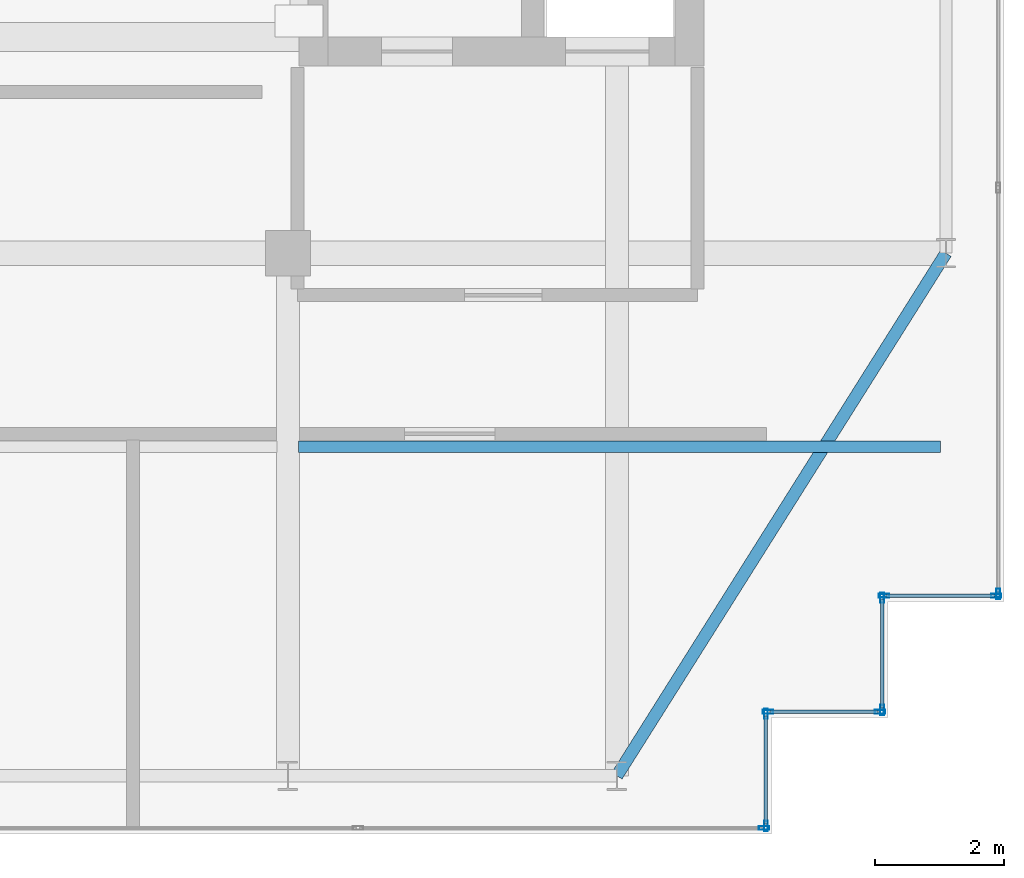
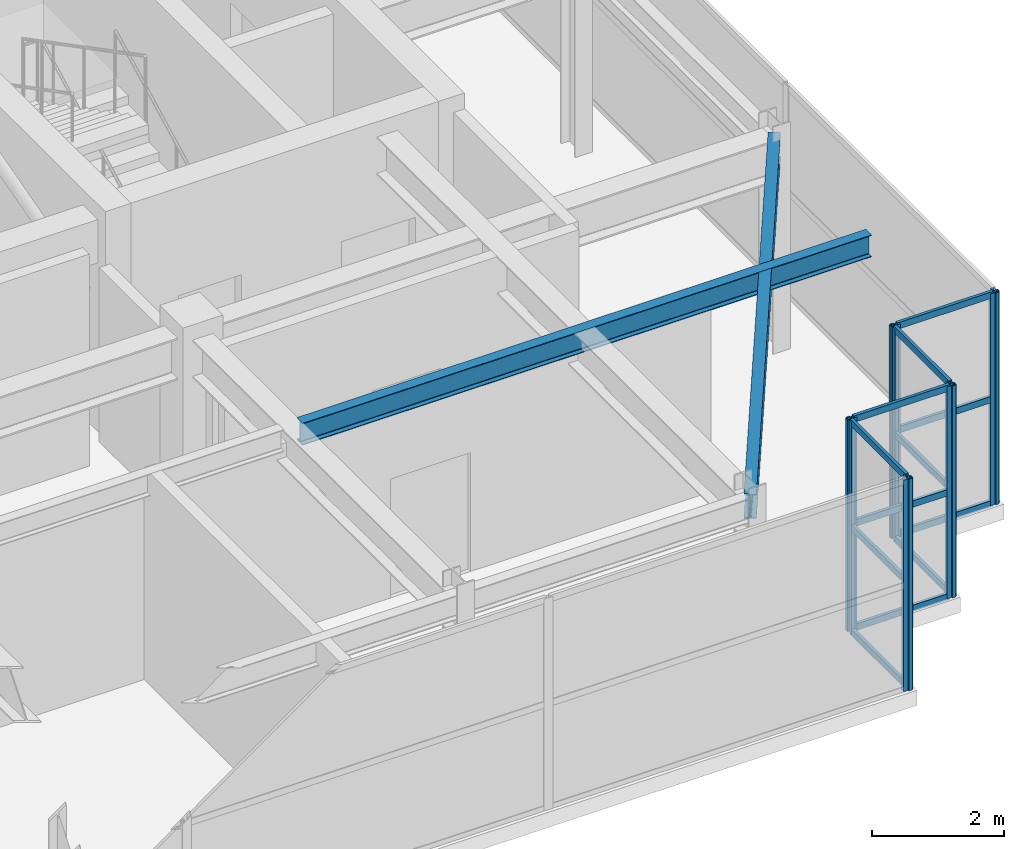
# One storey, part 15 of 32: 22 members, 2 beams, 6 elements without a shape of their own.
"""IFC4 building model written with IfcOpenShell, lengths in metres."""

import ifcopenshell
import ifcopenshell.guid

model = None  # the IFC model being written
_history = None  # IfcOwnerHistory: only IFC2X3 demands one
_inside = {}  # id of a spatial element -> (the spatial element, [elements in it])
_under = {}  # id of a project, library or spatial element -> (it, [spatial elements below it])
_declared = {}  # id of a project -> (the project, [libraries it declares])
_typed = {}  # id of a type object -> (the type object, [elements of that type])
_made_of = {}  # id of a material, layer set ... -> (it, [elements and type objects made of it])


def new_model(schema):
    """Start an empty IFC model of exactly this schema.

    Asked for "IFC4X3", IfcOpenShell would pick the latest addendum, in which some entities
    have other attributes; the version numbers below select the first issue.
    IFC2X3 requires an IfcOwnerHistory on every rooted entity: one is made here for all.
    """
    global model, _history
    if schema == "IFC4X3":
        model = ifcopenshell.file(schema_version=(4, 3, 0, 0))
    else:
        model = ifcopenshell.file(schema=schema)
    _inside.clear()
    _under.clear()
    _declared.clear()
    _typed.clear()
    _made_of.clear()
    _history = None
    if model.schema == "IFC2X3":
        org = make("IfcOrganization", Name="unknown")
        user = make(
            "IfcPersonAndOrganization",
            ThePerson=make("IfcPerson", FamilyName="unknown"),
            TheOrganization=org,
        )
        app = make(
            "IfcApplication",
            ApplicationDeveloper=org,
            Version="unknown",
            ApplicationFullName="unknown",
            ApplicationIdentifier="unknown",
        )
        _history = make(
            "IfcOwnerHistory",
            OwningUser=user,
            OwningApplication=app,
            ChangeAction="ADDED",
            CreationDate=0,
        )
    return model


def make(cls, **values):
    """One entity of the class cls with the attributes given. An attribute that is None is left unset."""
    return model.create_entity(
        cls, **{name: value for name, value in values.items() if value is not None}
    )


def rooted(cls, **values):
    """An entity with a GlobalId (a new one), such as an element, a storey or a relation."""
    return make(cls, GlobalId=ifcopenshell.guid.new(), OwnerHistory=_history, **values)


def si_unit(unit_type, name, prefix=None):
    """IfcSIUnit, for example si_unit("LENGTHUNIT", "METRE", prefix="MILLI")."""
    return make("IfcSIUnit", UnitType=unit_type, Prefix=prefix, Name=name)


def assignment(units):
    """IfcUnitAssignment: the units of a project."""
    return None if units is None else make("IfcUnitAssignment", Units=units)


def point(xyz):
    """IfcCartesianPoint."""
    return None if xyz is None else make("IfcCartesianPoint", Coordinates=xyz)


def direction(xyz):
    """IfcDirection."""
    return None if xyz is None else make("IfcDirection", DirectionRatios=xyz)


def frame(location, z_axis=None, x_axis=None):
    """IfcAxis2Placement3D, a coordinate frame: its origin and axes. An axis left out is left unset."""
    return make(
        "IfcAxis2Placement3D",
        Location=point(location),
        Axis=direction(z_axis),
        RefDirection=direction(x_axis),
    )


def frame_2d(location, x_axis=None):
    """IfcAxis2Placement2D, a coordinate frame in the plane: its origin and x axis."""
    return make(
        "IfcAxis2Placement2D", Location=point(location), RefDirection=direction(x_axis)
    )


def origin():
    """The frame at (0, 0, 0) with its axes left unset."""
    return frame((0.0, 0.0, 0.0))


def origin_2d():
    """The frame at (0, 0) in the plane with its x axis left unset."""
    return frame_2d((0.0, 0.0))


def place(relative_to, where):
    """IfcLocalPlacement: puts the frame where relative to a parent placement (None: the world)."""
    return make(
        "IfcLocalPlacement", PlacementRelTo=relative_to, RelativePlacement=where
    )


def context(
    kind, dimensions, precision=None, world=None, true_north=None, identifier=None
):
    """IfcGeometricRepresentationContext, for example the 3D "Model" context."""
    return make(
        "IfcGeometricRepresentationContext",
        ContextIdentifier=identifier,
        ContextType=kind,
        CoordinateSpaceDimension=dimensions,
        Precision=precision,
        WorldCoordinateSystem=world,
        TrueNorth=true_north,
    )


def subcontext(parent, identifier, kind, view, scale=None):
    """IfcGeometricRepresentationSubContext, for example "Body" below "Model"."""
    return make(
        "IfcGeometricRepresentationSubContext",
        ContextIdentifier=identifier,
        ContextType=kind,
        ParentContext=parent,
        TargetScale=scale,
        TargetView=view,
    )


def project(units=None, contexts=None):
    """IfcProject with its units and contexts."""
    return rooted(
        "IfcProject",
        Name="project",
        RepresentationContexts=contexts,
        UnitsInContext=assignment(units),
    )


def spatial(cls, under=None, at=None, **own):
    """A site, building, storey or space (cls), placed at a placement, below another one or the project."""
    s = rooted(cls, ObjectPlacement=at, **own)
    if under is not None:
        _under.setdefault(under.id(), (under, []))[1].append(s)
    return s


def profile(cls, at=None, kind="AREA", **sizes):
    """A parametric profile (cls). Its sizes go by their IFC names, for example OverallWidth=200.0."""
    return make(cls, ProfileType=kind, Position=at, **sizes)


def hollow_rectangle(**sizes):
    """IfcRectangleHollowProfileDef."""
    return profile("IfcRectangleHollowProfileDef", **sizes)


def i_section(**sizes):
    """IfcIShapeProfileDef."""
    return profile("IfcIShapeProfileDef", **sizes)


def extrude(swept, where, along, depth):
    """IfcExtrudedAreaSolid: the profile swept, set in the frame where, extruded along a direction by depth."""
    return make(
        "IfcExtrudedAreaSolid",
        SweptArea=swept,
        Position=where,
        ExtrudedDirection=direction(along),
        Depth=depth,
    )


def shape(context_of_items, identifier, shape_type, items):
    """IfcShapeRepresentation: the items that make up one representation, for example the "Body"."""
    return make(
        "IfcShapeRepresentation",
        ContextOfItems=context_of_items,
        RepresentationIdentifier=identifier,
        RepresentationType=shape_type,
        Items=items,
    )


def source(mapping_origin, context_of_items, identifier, shape_type, items):
    """IfcRepresentationMap: a shape defined once, which mapped items show again and again."""
    return make(
        "IfcRepresentationMap",
        MappingOrigin=mapping_origin,
        MappedRepresentation=shape(context_of_items, identifier, shape_type, items),
    )


def transform(
    local_origin,
    x_axis=None,
    y_axis=None,
    z_axis=None,
    scale=None,
    scale2=None,
    scale3=None,
    uniform=True,
):
    """IfcCartesianTransformationOperator3D, or its non-uniform kind. x_axis, y_axis, z_axis: its Axis1, 2, 3."""
    if uniform:
        return make(
            "IfcCartesianTransformationOperator3D",
            Axis1=direction(x_axis),
            Axis2=direction(y_axis),
            LocalOrigin=point(local_origin),
            Scale=scale,
            Axis3=direction(z_axis),
        )
    return make(
        "IfcCartesianTransformationOperator3DnonUniform",
        Axis1=direction(x_axis),
        Axis2=direction(y_axis),
        LocalOrigin=point(local_origin),
        Scale=scale,
        Axis3=direction(z_axis),
        Scale2=scale2,
        Scale3=scale3,
    )


def mapped(mapping_source, mapping_target):
    """IfcMappedItem: shows the shape of a source again, moved by a transform."""
    return make(
        "IfcMappedItem", MappingSource=mapping_source, MappingTarget=mapping_target
    )


def material(Name=None, Category=None):
    """IfcMaterial."""
    return make("IfcMaterial", Name=Name, Category=Category)


def layer(
    of_material, thickness, ventilated=None, Name=None, Category=None, Priority=None
):
    """IfcMaterialLayer: one layer of a wall or slab, of a material (None: an air gap)."""
    return make(
        "IfcMaterialLayer",
        Material=of_material,
        LayerThickness=thickness,
        IsVentilated=ventilated,
        Name=Name,
        Category=Category,
        Priority=Priority,
    )


def layer_set(layers, Name=None):
    """IfcMaterialLayerSet."""
    return make("IfcMaterialLayerSet", MaterialLayers=layers, LayerSetName=Name)


def material_profile(
    of_material, cross_section, Name=None, Category=None, Priority=None
):
    """IfcMaterialProfile: a cross section and its material."""
    return make(
        "IfcMaterialProfile",
        Name=Name,
        Material=of_material,
        Profile=cross_section,
        Priority=Priority,
        Category=Category,
    )


def profile_set(profiles, Name=None, composite=None):
    """IfcMaterialProfileSet."""
    return make(
        "IfcMaterialProfileSet",
        Name=Name,
        MaterialProfiles=profiles,
        CompositeProfile=composite,
    )


def made_of(thing, what):
    """Note that an element or type object is made of a material, layer set ...; save() writes the relation."""
    if what is not None:
        _made_of.setdefault(what.id(), (what, []))[1].append(thing)
    return thing


def type_object(cls, material=None, **own):
    """A type object (cls), such as IfcWallType, which elements share."""
    return made_of(rooted(cls, **own), material)


def element(
    cls,
    number,
    at=None,
    inside=None,
    cuts=None,
    type_object=None,
    material=None,
    context=None,
    identifier="Body",
    shape_type=None,
    held_by="IfcProductDefinitionShape",
    body=None,
    shapes=None,
    **own,
):
    """One element of the class cls, such as IfcWall. Its Tag is "e" and its number.

    at: its placement. inside: the storey or other place that contains it. cuts: it is an
    opening in that element (IfcRelVoidsElement). A single representation is given by context,
    identifier, shape_type and body (its items); several are given by shapes. held_by: the class
    of the entity that holds the representations. save() writes the other relations.
    """
    e = rooted(cls, Tag="e%d" % number, ObjectPlacement=at, **own)
    if body is not None:
        shapes = [shape(context, identifier, shape_type, body)]
    if shapes is not None:
        e.Representation = make(held_by, Representations=shapes)
    if inside is not None:
        _inside.setdefault(inside.id(), (inside, []))[1].append(e)
    if cuts is not None:
        rooted(
            "IfcRelVoidsElement", RelatingBuildingElement=cuts, RelatedOpeningElement=e
        )
    if type_object is not None:
        _typed.setdefault(type_object.id(), (type_object, []))[1].append(e)
    return made_of(e, material)


def aggregate(whole, parts):
    """IfcRelAggregates: a whole, such as a stair, and the parts it consists of."""
    return rooted("IfcRelAggregates", RelatingObject=whole, RelatedObjects=parts)


def save(model, path):
    """Write the relations noted so far, then the file.

    IfcRelAggregates (storeys below a building ...), IfcRelContainedInSpatialStructure (elements
    in a storey), IfcRelDefinesByType, IfcRelAssociatesMaterial and IfcRelDeclares: one each for
    every whole, place, type object, material and project.
    """
    for whole, parts in _under.values():
        aggregate(whole, parts)
    for where, things in _inside.values():
        rooted(
            "IfcRelContainedInSpatialStructure",
            RelatedElements=things,
            RelatingStructure=where,
        )
    for kind, things in _typed.values():
        rooted("IfcRelDefinesByType", RelatedObjects=things, RelatingType=kind)
    for what, things in _made_of.values():
        rooted("IfcRelAssociatesMaterial", RelatedObjects=things, RelatingMaterial=what)
    for by, libraries in _declared.values():
        rooted("IfcRelDeclares", RelatingContext=by, RelatedDefinitions=libraries)
    model.write(path)


model = new_model("IFC4")

# Units and contexts
model_context = context("Model", 3, precision=1e-05, world=origin(), true_north=direction((0.0, 1.0)))
body_context = subcontext(model_context, "Body", "Model", "MODEL_VIEW")
ifc_project = project(units=[si_unit("LENGTHUNIT", "METRE"), si_unit("AREAUNIT", "SQUARE_METRE"), si_unit("VOLUMEUNIT", "CUBIC_METRE"), si_unit("PLANEANGLEUNIT", "RADIAN"), si_unit("MASSUNIT", "GRAM", prefix="KILO")], contexts=[model_context])

# Site, building, storey
site_placement = place(None, origin())
site = spatial("IfcSite", under=ifc_project, at=site_placement, CompositionType="ELEMENT")
building_placement = place(site_placement, origin())
building = spatial("IfcBuilding", under=site, at=building_placement, Name="Khoralis Quay Care Tower", CompositionType="ELEMENT")
storey_placement = place(building_placement, frame((0.0, 0.0, 306.300048828125)))
storey = spatial("IfcBuildingStorey", under=building, at=storey_placement, Name="L80", CompositionType="ELEMENT", Elevation=306.300048828125)

# Beams
ifc_material_1 = material(Name="Steel S355", Category="steel")
ifc_material_profile_1 = material_profile(ifc_material_1, i_section(OverallWidth=0.18994140625, OverallDepth=0.449951171875, WebThickness=0.009521484375, FlangeThickness=0.0146484375, FilletRadius=0.02099609375, at=origin_2d()), Name="Steel S355")
ifc_profile_set_1 = profile_set([ifc_material_profile_1], Name="Steel S355")
beam_type_1 = type_object("IfcBeamType", Name="BM-IPE450", PredefinedType="SPANDREL", material=ifc_profile_set_1)
shared_shape_1 = source(origin(), body_context, "Body", "SweptSolid", [
    extrude(i_section(OverallWidth=0.18994140625, OverallDepth=0.449951171875, WebThickness=0.009521484375, FlangeThickness=0.0146484375, FilletRadius=0.02099609375, at=origin_2d()), origin(), (0.0, 0.0, 1.0), 9.572021484375),
])
beam_1_placement = place(storey_placement, frame((36.0, 3.89990234375, 3.695068359375), z_axis=(0.532815975602, 0.846231136359, 0.0), x_axis=(-0.846231136359, 0.532815975602, 0.0)))
element("IfcBeam", 1, at=beam_1_placement, inside=storey, type_object=beam_type_1, Name="BM-TCR-L80-18", PredefinedType="SPANDREL", context=body_context, shape_type="MappedRepresentation", body=[
    mapped(shared_shape_1, transform((0.0, 0.0, 0.0), scale=1.0)),
])
ifc_material_profile_2 = material_profile(ifc_material_1, i_section(OverallWidth=0.177978515625, OverallDepth=0.406982421875, WebThickness=0.0078125, FlangeThickness=0.0126953125, FilletRadius=0.012939453125, at=origin_2d()), Name="Steel S355")
ifc_profile_set_2 = profile_set([ifc_material_profile_2], Name="Steel S355")
beam_type_2 = type_object("IfcBeamType", Name="BM-W410X60", PredefinedType="JOIST", material=ifc_profile_set_2)
shared_shape_2 = source(origin(), body_context, "Body", "SweptSolid", [
    extrude(i_section(OverallWidth=0.177978515625, OverallDepth=0.406982421875, WebThickness=0.0078125, FlangeThickness=0.0126953125, FilletRadius=0.012939453125, at=origin_2d()), origin(), (0.0, 0.0, 1.0), 9.95361328125),
])
beam_2_placement = place(storey_placement, frame((31.0654296875, 9.0, 3.716552734375), z_axis=(1.0, 0.0, 0.0), x_axis=(0.0, 1.0, 0.0)))
element("IfcBeam", 2, at=beam_2_placement, inside=storey, type_object=beam_type_2, Name="BM-TJS-L80-22", PredefinedType="JOIST", context=body_context, shape_type="MappedRepresentation", body=[
    mapped(shared_shape_2, transform((0.0, 0.0, 0.0), scale=1.0)),
])

# Curtain wall, members
ifc_material_2 = material(Name="Pale anodised aluminium", Category="aluminium")
ifc_layer = layer(ifc_material_2, 0.199951171875)
ifc_layer_set = layer_set([ifc_layer], Name="Pale anodised aluminium")
curtain_wall_type = type_object("IfcCurtainWallType", Name="CW-SYS-LANTERN", PredefinedType="NOTDEFINED", material=ifc_layer_set)
curtain_wall_1_placement = place(storey_placement, origin())
curtain_wall_1 = element("IfcCurtainWall", 3, at=curtain_wall_1_placement, inside=storey, type_object=curtain_wall_type, Name="L80 Unitised Curtain Wall CW-LN-L80-02", PredefinedType="NOTDEFINED")
ifc_material_profile_3 = material_profile(ifc_material_2, hollow_rectangle(XDim=0.054931640625, YDim=0.1201171875, WallThickness=0.00390625, at=origin_2d()), Name="Pale anodised aluminium")
ifc_profile_set_3 = profile_set([ifc_material_profile_3], Name="Pale anodised aluminium")
member_type_1 = type_object("IfcMemberType", Name="CW-TRN-120", PredefinedType="USERDEFINED", material=ifc_profile_set_3)
shared_shape_3 = source(origin(), body_context, "Body", "SweptSolid", [
    extrude(hollow_rectangle(XDim=0.054931640625, YDim=0.1201171875, WallThickness=0.00390625, at=origin_2d()), origin(), (0.0, 0.0, 1.0), 1.68017578125),
])
member_1_placement = place(storey_placement, frame((38.31005859375, 3.14990234375, 0.030029296875), z_axis=(0.0, 1.0, 0.0), x_axis=(-1.0, 0.0, 0.0)))
member_1 = element("IfcMember", 4, at=member_1_placement, type_object=member_type_1, Name="CW5 transom 1.1", ObjectType="TRANSOM", PredefinedType="USERDEFINED", context=body_context, shape_type="MappedRepresentation", body=[
    mapped(shared_shape_3, transform((0.0, 0.0, 0.0), scale=1.0)),
])
member_2_placement = place(storey_placement, frame((38.31005859375, 3.14990234375, 1.9599609375), z_axis=(0.0, 1.0, 0.0), x_axis=(-1.0, 0.0, 0.0)))
member_2 = element("IfcMember", 5, at=member_2_placement, type_object=member_type_1, Name="CW5 transom 1.2", ObjectType="TRANSOM", PredefinedType="USERDEFINED", context=body_context, shape_type="MappedRepresentation", body=[
    mapped(shared_shape_3, transform((0.0, 0.0, 0.0), scale=1.0)),
])
member_3_placement = place(storey_placement, frame((38.31005859375, 3.14990234375, 3.889892578125), z_axis=(0.0, 1.0, 0.0), x_axis=(-1.0, 0.0, 0.0)))
member_3 = element("IfcMember", 6, at=member_3_placement, type_object=member_type_1, Name="CW5 transom 1.3", ObjectType="TRANSOM", PredefinedType="USERDEFINED", context=body_context, shape_type="MappedRepresentation", body=[
    mapped(shared_shape_3, transform((0.0, 0.0, 0.0), scale=1.0)),
])

curtain_wall_2_placement = place(storey_placement, origin())
curtain_wall_2 = element("IfcCurtainWall", 7, at=curtain_wall_2_placement, inside=storey, type_object=curtain_wall_type, Name="L80 Unitised Curtain Wall CW-LN-L80-05", PredefinedType="NOTDEFINED")
member_4_placement = place(storey_placement, frame((40.169921875, 6.68994140625, 0.030029296875), z_axis=(1.0, 0.0, 0.0), x_axis=(0.0, 1.0, 0.0)))
member_4 = element("IfcMember", 8, at=member_4_placement, type_object=member_type_1, Name="CW5 transom 1.1", ObjectType="TRANSOM", PredefinedType="USERDEFINED", context=body_context, shape_type="MappedRepresentation", body=[
    mapped(shared_shape_3, transform((0.0, 0.0, 0.0), scale=1.0)),
])
member_5_placement = place(storey_placement, frame((40.169921875, 6.68994140625, 1.9599609375), z_axis=(1.0, 0.0, 0.0), x_axis=(0.0, 1.0, 0.0)))
member_5 = element("IfcMember", 9, at=member_5_placement, type_object=member_type_1, Name="CW5 transom 1.2", ObjectType="TRANSOM", PredefinedType="USERDEFINED", context=body_context, shape_type="MappedRepresentation", body=[
    mapped(shared_shape_3, transform((0.0, 0.0, 0.0), scale=1.0)),
])
member_6_placement = place(storey_placement, frame((40.169921875, 6.68994140625, 3.889892578125), z_axis=(1.0, 0.0, 0.0), x_axis=(0.0, 1.0, 0.0)))
member_6 = element("IfcMember", 10, at=member_6_placement, type_object=member_type_1, Name="CW5 transom 1.3", ObjectType="TRANSOM", PredefinedType="USERDEFINED", context=body_context, shape_type="MappedRepresentation", body=[
    mapped(shared_shape_3, transform((0.0, 0.0, 0.0), scale=1.0)),
])

curtain_wall_3_placement = place(storey_placement, origin())
curtain_wall_3 = element("IfcCurtainWall", 11, at=curtain_wall_3_placement, inside=storey, type_object=curtain_wall_type, Name="L80 Unitised Curtain Wall CW-LN-L80-03", PredefinedType="NOTDEFINED")
shared_shape_4 = source(origin(), body_context, "Body", "SweptSolid", [
    extrude(hollow_rectangle(XDim=0.054931640625, YDim=0.1201171875, WallThickness=0.00390625, at=origin_2d()), origin(), (0.0, 0.0, 1.0), 1.679931640625),
])
member_7_placement = place(storey_placement, frame((38.3701171875, 4.889892578125, 0.030029296875), z_axis=(1.0, 0.0, 0.0), x_axis=(0.0, 1.0, 0.0)))
member_7 = element("IfcMember", 12, at=member_7_placement, type_object=member_type_1, Name="CW5 transom 1.1", ObjectType="TRANSOM", PredefinedType="USERDEFINED", context=body_context, shape_type="MappedRepresentation", body=[
    mapped(shared_shape_4, transform((0.0, 0.0, 0.0), scale=1.0)),
])
member_8_placement = place(storey_placement, frame((38.3701171875, 4.889892578125, 1.9599609375), z_axis=(1.0, 0.0, 0.0), x_axis=(0.0, 1.0, 0.0)))
member_8 = element("IfcMember", 13, at=member_8_placement, type_object=member_type_1, Name="CW5 transom 1.2", ObjectType="TRANSOM", PredefinedType="USERDEFINED", context=body_context, shape_type="MappedRepresentation", body=[
    mapped(shared_shape_4, transform((0.0, 0.0, 0.0), scale=1.0)),
])
member_9_placement = place(storey_placement, frame((38.3701171875, 4.889892578125, 3.889892578125), z_axis=(1.0, 0.0, 0.0), x_axis=(0.0, 1.0, 0.0)))
member_9 = element("IfcMember", 14, at=member_9_placement, type_object=member_type_1, Name="CW5 transom 1.3", ObjectType="TRANSOM", PredefinedType="USERDEFINED", context=body_context, shape_type="MappedRepresentation", body=[
    mapped(shared_shape_4, transform((0.0, 0.0, 0.0), scale=1.0)),
])

curtain_wall_4_placement = place(storey_placement, origin())
curtain_wall_4 = element("IfcCurtainWall", 15, at=curtain_wall_4_placement, inside=storey, type_object=curtain_wall_type, Name="L80 Unitised Curtain Wall CW-LN-L80-04", PredefinedType="NOTDEFINED")
member_10_placement = place(storey_placement, frame((40.110107421875, 4.949951171875, 0.030029296875), z_axis=(0.0, 1.0, 0.0), x_axis=(-1.0, 0.0, 0.0)))
member_10 = element("IfcMember", 16, at=member_10_placement, type_object=member_type_1, Name="CW5 transom 1.1", ObjectType="TRANSOM", PredefinedType="USERDEFINED", context=body_context, shape_type="MappedRepresentation", body=[
    mapped(shared_shape_4, transform((0.0, 0.0, 0.0), scale=1.0)),
])
member_11_placement = place(storey_placement, frame((40.110107421875, 4.949951171875, 1.9599609375), z_axis=(0.0, 1.0, 0.0), x_axis=(-1.0, 0.0, 0.0)))
member_11 = element("IfcMember", 17, at=member_11_placement, type_object=member_type_1, Name="CW5 transom 1.2", ObjectType="TRANSOM", PredefinedType="USERDEFINED", context=body_context, shape_type="MappedRepresentation", body=[
    mapped(shared_shape_4, transform((0.0, 0.0, 0.0), scale=1.0)),
])
member_12_placement = place(storey_placement, frame((40.110107421875, 4.949951171875, 3.889892578125), z_axis=(0.0, 1.0, 0.0), x_axis=(-1.0, 0.0, 0.0)))
member_12 = element("IfcMember", 18, at=member_12_placement, type_object=member_type_1, Name="CW5 transom 1.3", ObjectType="TRANSOM", PredefinedType="USERDEFINED", context=body_context, shape_type="MappedRepresentation", body=[
    mapped(shared_shape_4, transform((0.0, 0.0, 0.0), scale=1.0)),
])

# Curtain wall, member
curtain_wall_5_placement = place(storey_placement, origin())
curtain_wall_5 = element("IfcCurtainWall", 19, at=curtain_wall_5_placement, inside=storey, type_object=curtain_wall_type, Name="L80 Unitised Curtain Wall CW-LN-L80-01", PredefinedType="NOTDEFINED")
ifc_material_profile_4 = material_profile(ifc_material_2, hollow_rectangle(XDim=0.06005859375, YDim=0.159912109375, WallThickness=0.00390625, at=origin_2d()), Name="Pale anodised aluminium")
ifc_profile_set_4 = profile_set([ifc_material_profile_4], Name="Pale anodised aluminium")
member_type_2 = type_object("IfcMemberType", Name="CW-MUL-160", PredefinedType="MULLION", material=ifc_profile_set_4)
shared_shape_5 = source(origin(), body_context, "Body", "SweptSolid", [
    extrude(hollow_rectangle(XDim=0.06005859375, YDim=0.159912109375, WallThickness=0.00390625, at=origin_2d()), origin(), (0.0, 0.0, 1.0), 3.919921875),
])
member_13_placement = place(storey_placement, frame((38.280029296875, 3.090087890625, 0.0), z_axis=(0.0, 0.0, 1.0), x_axis=(0.0, 1.0, 0.0)))
member_13 = element("IfcMember", 20, at=member_13_placement, type_object=member_type_2, Name="CW5 mullion 6", PredefinedType="MULLION", context=body_context, shape_type="MappedRepresentation", body=[
    mapped(shared_shape_5, transform((0.0, 0.0, 0.0), scale=1.0)),
])
aggregate(curtain_wall_5, [member_13])

# Member
member_14_placement = place(storey_placement, frame((38.31005859375, 3.1201171875, 0.0), z_axis=(0.0, 0.0, 1.0), x_axis=(-1.0, 0.0, 0.0)))
member_14 = element("IfcMember", 21, at=member_14_placement, type_object=member_type_2, Name="CW5 mullion 1", PredefinedType="MULLION", context=body_context, shape_type="MappedRepresentation", body=[
    mapped(shared_shape_5, transform((0.0, 0.0, 0.0), scale=1.0)),
])

member_15_placement = place(storey_placement, frame((38.31005859375, 4.860107421875, 0.0), z_axis=(0.0, 0.0, 1.0), x_axis=(-1.0, 0.0, 0.0)))
member_15 = element("IfcMember", 22, at=member_15_placement, type_object=member_type_2, Name="CW5 mullion 2", PredefinedType="MULLION", context=body_context, shape_type="MappedRepresentation", body=[
    mapped(shared_shape_5, transform((0.0, 0.0, 0.0), scale=1.0)),
])

aggregate(curtain_wall_1, [member_14, member_15, member_1, member_2, member_3])

member_16_placement = place(storey_placement, frame((38.340087890625, 4.889892578125, 0.0), z_axis=(0.0, 0.0, 1.0), x_axis=(0.0, 1.0, 0.0)))
member_16 = element("IfcMember", 23, at=member_16_placement, type_object=member_type_2, Name="CW5 mullion 1", PredefinedType="MULLION", context=body_context, shape_type="MappedRepresentation", body=[
    mapped(shared_shape_5, transform((0.0, 0.0, 0.0), scale=1.0)),
])

member_17_placement = place(storey_placement, frame((40.080078125, 4.889892578125, 0.0), z_axis=(0.0, 0.0, 1.0), x_axis=(0.0, 1.0, 0.0)))
member_17 = element("IfcMember", 24, at=member_17_placement, type_object=member_type_2, Name="CW5 mullion 2", PredefinedType="MULLION", context=body_context, shape_type="MappedRepresentation", body=[
    mapped(shared_shape_5, transform((0.0, 0.0, 0.0), scale=1.0)),
])

aggregate(curtain_wall_3, [member_16, member_17, member_7, member_8, member_9])

member_18_placement = place(storey_placement, frame((40.110107421875, 4.919921875, 0.0), z_axis=(0.0, 0.0, 1.0), x_axis=(-1.0, 0.0, 0.0)))
member_18 = element("IfcMember", 25, at=member_18_placement, type_object=member_type_2, Name="CW5 mullion 1", PredefinedType="MULLION", context=body_context, shape_type="MappedRepresentation", body=[
    mapped(shared_shape_5, transform((0.0, 0.0, 0.0), scale=1.0)),
])

member_19_placement = place(storey_placement, frame((40.110107421875, 6.659912109375, 0.0), z_axis=(0.0, 0.0, 1.0), x_axis=(-1.0, 0.0, 0.0)))
member_19 = element("IfcMember", 26, at=member_19_placement, type_object=member_type_2, Name="CW5 mullion 2", PredefinedType="MULLION", context=body_context, shape_type="MappedRepresentation", body=[
    mapped(shared_shape_5, transform((0.0, 0.0, 0.0), scale=1.0)),
])

aggregate(curtain_wall_4, [member_18, member_19, member_10, member_11, member_12])

member_20_placement = place(storey_placement, frame((40.139892578125, 6.68994140625, 0.0), z_axis=(0.0, 0.0, 1.0), x_axis=(0.0, 1.0, 0.0)))
member_20 = element("IfcMember", 27, at=member_20_placement, type_object=member_type_2, Name="CW5 mullion 1", PredefinedType="MULLION", context=body_context, shape_type="MappedRepresentation", body=[
    mapped(shared_shape_5, transform((0.0, 0.0, 0.0), scale=1.0)),
])

member_21_placement = place(storey_placement, frame((41.8798828125, 6.68994140625, 0.0), z_axis=(0.0, 0.0, 1.0), x_axis=(0.0, 1.0, 0.0)))
member_21 = element("IfcMember", 28, at=member_21_placement, type_object=member_type_2, Name="CW5 mullion 2", PredefinedType="MULLION", context=body_context, shape_type="MappedRepresentation", body=[
    mapped(shared_shape_5, transform((0.0, 0.0, 0.0), scale=1.0)),
])

aggregate(curtain_wall_2, [member_20, member_21, member_4, member_5, member_6])

# Curtain wall, member
curtain_wall_6_placement = place(storey_placement, origin())
curtain_wall_6 = element("IfcCurtainWall", 29, at=curtain_wall_6_placement, inside=storey, type_object=curtain_wall_type, Name="L80 Unitised Curtain Wall CW-LN-L80-06", PredefinedType="NOTDEFINED")
member_22_placement = place(storey_placement, frame((41.909912109375, 6.719970703125, 0.0), z_axis=(0.0, 0.0, 1.0), x_axis=(-1.0, 0.0, 0.0)))
member_22 = element("IfcMember", 30, at=member_22_placement, type_object=member_type_2, Name="CW5 mullion 1", PredefinedType="MULLION", context=body_context, shape_type="MappedRepresentation", body=[
    mapped(shared_shape_5, transform((0.0, 0.0, 0.0), scale=1.0)),
])
aggregate(curtain_wall_6, [member_22])

save(model, "model.ifc")
